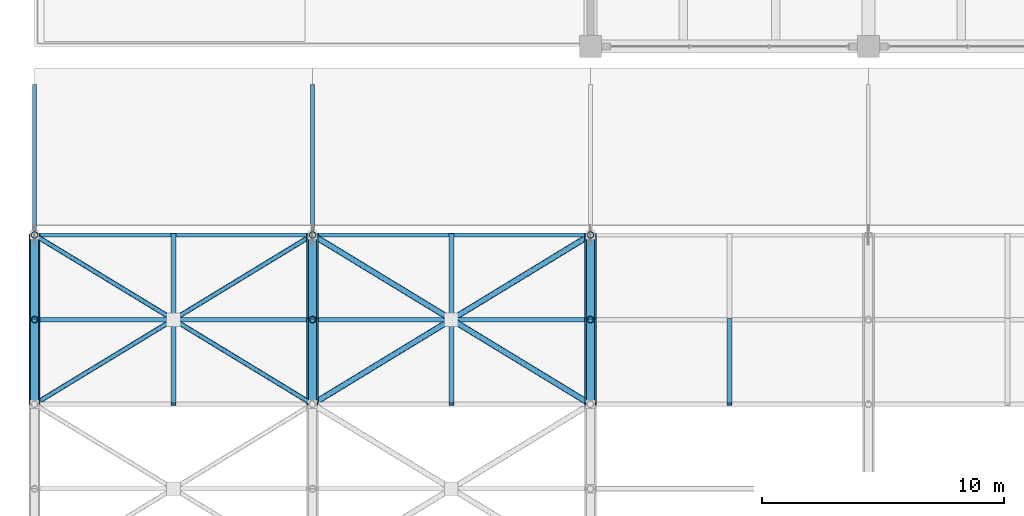
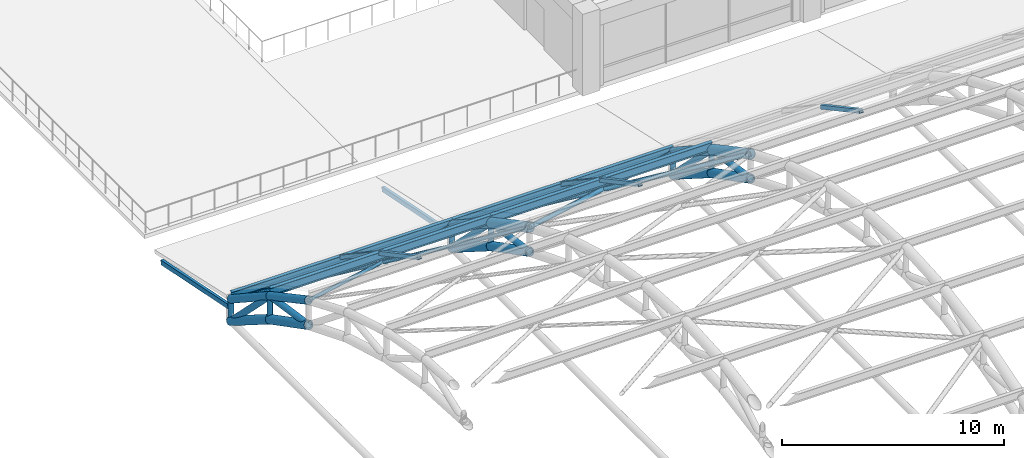
# One storey, part 65 of 154: 41 members.
"""IFC4 building model written with IfcOpenShell, lengths in metres."""

import ifcopenshell
import ifcopenshell.guid

model = None  # the IFC model being written
_history = None  # IfcOwnerHistory: only IFC2X3 demands one
_inside = {}  # id of a spatial element -> (the spatial element, [elements in it])
_under = {}  # id of a project, library or spatial element -> (it, [spatial elements below it])
_declared = {}  # id of a project -> (the project, [libraries it declares])
_typed = {}  # id of a type object -> (the type object, [elements of that type])
_made_of = {}  # id of a material, layer set ... -> (it, [elements and type objects made of it])


def new_model(schema):
    """Start an empty IFC model of exactly this schema.

    Asked for "IFC4X3", IfcOpenShell would pick the latest addendum, in which some entities
    have other attributes; the version numbers below select the first issue.
    IFC2X3 requires an IfcOwnerHistory on every rooted entity: one is made here for all.
    """
    global model, _history
    if schema == "IFC4X3":
        model = ifcopenshell.file(schema_version=(4, 3, 0, 0))
    else:
        model = ifcopenshell.file(schema=schema)
    _inside.clear()
    _under.clear()
    _declared.clear()
    _typed.clear()
    _made_of.clear()
    _history = None
    if model.schema == "IFC2X3":
        org = make("IfcOrganization", Name="unknown")
        user = make(
            "IfcPersonAndOrganization",
            ThePerson=make("IfcPerson", FamilyName="unknown"),
            TheOrganization=org,
        )
        app = make(
            "IfcApplication",
            ApplicationDeveloper=org,
            Version="unknown",
            ApplicationFullName="unknown",
            ApplicationIdentifier="unknown",
        )
        _history = make(
            "IfcOwnerHistory",
            OwningUser=user,
            OwningApplication=app,
            ChangeAction="ADDED",
            CreationDate=0,
        )
    return model


def make(cls, **values):
    """One entity of the class cls with the attributes given. An attribute that is None is left unset."""
    return model.create_entity(
        cls, **{name: value for name, value in values.items() if value is not None}
    )


def rooted(cls, **values):
    """An entity with a GlobalId (a new one), such as an element, a storey or a relation."""
    return make(cls, GlobalId=ifcopenshell.guid.new(), OwnerHistory=_history, **values)


def si_unit(unit_type, name, prefix=None):
    """IfcSIUnit, for example si_unit("LENGTHUNIT", "METRE", prefix="MILLI")."""
    return make("IfcSIUnit", UnitType=unit_type, Prefix=prefix, Name=name)


def assignment(units):
    """IfcUnitAssignment: the units of a project."""
    return None if units is None else make("IfcUnitAssignment", Units=units)


def point(xyz):
    """IfcCartesianPoint."""
    return None if xyz is None else make("IfcCartesianPoint", Coordinates=xyz)


def direction(xyz):
    """IfcDirection."""
    return None if xyz is None else make("IfcDirection", DirectionRatios=xyz)


def frame(location, z_axis=None, x_axis=None):
    """IfcAxis2Placement3D, a coordinate frame: its origin and axes. An axis left out is left unset."""
    return make(
        "IfcAxis2Placement3D",
        Location=point(location),
        Axis=direction(z_axis),
        RefDirection=direction(x_axis),
    )


def frame_2d(location, x_axis=None):
    """IfcAxis2Placement2D, a coordinate frame in the plane: its origin and x axis."""
    return make(
        "IfcAxis2Placement2D", Location=point(location), RefDirection=direction(x_axis)
    )


def origin():
    """The frame at (0, 0, 0) with its axes left unset."""
    return frame((0.0, 0.0, 0.0))


def origin_2d():
    """The frame at (0, 0) in the plane with its x axis left unset."""
    return frame_2d((0.0, 0.0))


def place(relative_to, where):
    """IfcLocalPlacement: puts the frame where relative to a parent placement (None: the world)."""
    return make(
        "IfcLocalPlacement", PlacementRelTo=relative_to, RelativePlacement=where
    )


def context(
    kind, dimensions, precision=None, world=None, true_north=None, identifier=None
):
    """IfcGeometricRepresentationContext, for example the 3D "Model" context."""
    return make(
        "IfcGeometricRepresentationContext",
        ContextIdentifier=identifier,
        ContextType=kind,
        CoordinateSpaceDimension=dimensions,
        Precision=precision,
        WorldCoordinateSystem=world,
        TrueNorth=true_north,
    )


def subcontext(parent, identifier, kind, view, scale=None):
    """IfcGeometricRepresentationSubContext, for example "Body" below "Model"."""
    return make(
        "IfcGeometricRepresentationSubContext",
        ContextIdentifier=identifier,
        ContextType=kind,
        ParentContext=parent,
        TargetScale=scale,
        TargetView=view,
    )


def project(units=None, contexts=None):
    """IfcProject with its units and contexts."""
    return rooted(
        "IfcProject",
        Name="project",
        RepresentationContexts=contexts,
        UnitsInContext=assignment(units),
    )


def spatial(cls, under=None, at=None, **own):
    """A site, building, storey or space (cls), placed at a placement, below another one or the project."""
    s = rooted(cls, ObjectPlacement=at, **own)
    if under is not None:
        _under.setdefault(under.id(), (under, []))[1].append(s)
    return s


def profile(cls, at=None, kind="AREA", **sizes):
    """A parametric profile (cls). Its sizes go by their IFC names, for example OverallWidth=200.0."""
    return make(cls, ProfileType=kind, Position=at, **sizes)


def hollow_rectangle(**sizes):
    """IfcRectangleHollowProfileDef."""
    return profile("IfcRectangleHollowProfileDef", **sizes)


def hollow_circle(**sizes):
    """IfcCircleHollowProfileDef."""
    return profile("IfcCircleHollowProfileDef", **sizes)


def i_section(**sizes):
    """IfcIShapeProfileDef."""
    return profile("IfcIShapeProfileDef", **sizes)


def extrude(swept, where, along, depth):
    """IfcExtrudedAreaSolid: the profile swept, set in the frame where, extruded along a direction by depth."""
    return make(
        "IfcExtrudedAreaSolid",
        SweptArea=swept,
        Position=where,
        ExtrudedDirection=direction(along),
        Depth=depth,
    )


def shape(context_of_items, identifier, shape_type, items):
    """IfcShapeRepresentation: the items that make up one representation, for example the "Body"."""
    return make(
        "IfcShapeRepresentation",
        ContextOfItems=context_of_items,
        RepresentationIdentifier=identifier,
        RepresentationType=shape_type,
        Items=items,
    )


def material(Name=None, Category=None):
    """IfcMaterial."""
    return make("IfcMaterial", Name=Name, Category=Category)


def material_profile(
    of_material, cross_section, Name=None, Category=None, Priority=None
):
    """IfcMaterialProfile: a cross section and its material."""
    return make(
        "IfcMaterialProfile",
        Name=Name,
        Material=of_material,
        Profile=cross_section,
        Priority=Priority,
        Category=Category,
    )


def profile_set(profiles, Name=None, composite=None):
    """IfcMaterialProfileSet."""
    return make(
        "IfcMaterialProfileSet",
        Name=Name,
        MaterialProfiles=profiles,
        CompositeProfile=composite,
    )


def made_of(thing, what):
    """Note that an element or type object is made of a material, layer set ...; save() writes the relation."""
    if what is not None:
        _made_of.setdefault(what.id(), (what, []))[1].append(thing)
    return thing


def type_object(cls, material=None, **own):
    """A type object (cls), such as IfcWallType, which elements share."""
    return made_of(rooted(cls, **own), material)


def element(
    cls,
    number,
    at=None,
    inside=None,
    cuts=None,
    type_object=None,
    material=None,
    context=None,
    identifier="Body",
    shape_type=None,
    held_by="IfcProductDefinitionShape",
    body=None,
    shapes=None,
    **own,
):
    """One element of the class cls, such as IfcWall. Its Tag is "e" and its number.

    at: its placement. inside: the storey or other place that contains it. cuts: it is an
    opening in that element (IfcRelVoidsElement). A single representation is given by context,
    identifier, shape_type and body (its items); several are given by shapes. held_by: the class
    of the entity that holds the representations. save() writes the other relations.
    """
    e = rooted(cls, Tag="e%d" % number, ObjectPlacement=at, **own)
    if body is not None:
        shapes = [shape(context, identifier, shape_type, body)]
    if shapes is not None:
        e.Representation = make(held_by, Representations=shapes)
    if inside is not None:
        _inside.setdefault(inside.id(), (inside, []))[1].append(e)
    if cuts is not None:
        rooted(
            "IfcRelVoidsElement", RelatingBuildingElement=cuts, RelatedOpeningElement=e
        )
    if type_object is not None:
        _typed.setdefault(type_object.id(), (type_object, []))[1].append(e)
    return made_of(e, material)


def aggregate(whole, parts):
    """IfcRelAggregates: a whole, such as a stair, and the parts it consists of."""
    return rooted("IfcRelAggregates", RelatingObject=whole, RelatedObjects=parts)


def save(model, path):
    """Write the relations noted so far, then the file.

    IfcRelAggregates (storeys below a building ...), IfcRelContainedInSpatialStructure (elements
    in a storey), IfcRelDefinesByType, IfcRelAssociatesMaterial and IfcRelDeclares: one each for
    every whole, place, type object, material and project.
    """
    for whole, parts in _under.values():
        aggregate(whole, parts)
    for where, things in _inside.values():
        rooted(
            "IfcRelContainedInSpatialStructure",
            RelatedElements=things,
            RelatingStructure=where,
        )
    for kind, things in _typed.values():
        rooted("IfcRelDefinesByType", RelatedObjects=things, RelatingType=kind)
    for what, things in _made_of.values():
        rooted("IfcRelAssociatesMaterial", RelatedObjects=things, RelatingMaterial=what)
    for by, libraries in _declared.values():
        rooted("IfcRelDeclares", RelatingContext=by, RelatedDefinitions=libraries)
    model.write(path)


model = new_model("IFC4")

# Units and contexts
model_context = context("Model", 3, precision=1e-05, world=origin(), true_north=direction((0.0, 1.0)))
body_context = subcontext(model_context, "Body", "Model", "MODEL_VIEW")
ifc_project = project(units=[si_unit("LENGTHUNIT", "METRE"), si_unit("AREAUNIT", "SQUARE_METRE"), si_unit("VOLUMEUNIT", "CUBIC_METRE"), si_unit("PLANEANGLEUNIT", "RADIAN"), si_unit("MASSUNIT", "GRAM", prefix="KILO")], contexts=[model_context])

# Site, building, storey
site_placement = place(None, origin())
site = spatial("IfcSite", under=ifc_project, at=site_placement, CompositionType="ELEMENT")
building_placement = place(site_placement, origin())
building = spatial("IfcBuilding", under=site, at=building_placement, Name="Ologun Quay Terminus", CompositionType="ELEMENT")
storey_placement = place(building_placement, frame((0.0, 0.0, 13.800048828125)))
storey = spatial("IfcBuildingStorey", under=building, at=storey_placement, Name="L03", CompositionType="ELEMENT", Elevation=13.800048828125)

# Members
ifc_material_1 = material(Name="Steel S355", Category="steel")
ifc_material_profile_1 = material_profile(ifc_material_1, hollow_circle(Radius=0.136474609375, WallThickness=0.010009765625, at=origin_2d()), Name="CHS 273x10")
ifc_profile_set_1 = profile_set([ifc_material_profile_1], Name="Steel S355")
member_type_1 = type_object("IfcMemberType", Name="Arch Truss Vertical Post CHS273", PredefinedType="STRUT", material=ifc_profile_set_1)
member_1_placement = place(storey_placement, frame((0.0, 74.5, 2.212158203125), z_axis=(0.0, 0.0, 1.0), x_axis=(1.0, 0.0, 0.0)))
element("IfcMember", 1, at=member_1_placement, inside=storey, type_object=member_type_1, Name="AW2 Arch Web Post 1-N11", PredefinedType="STRUT", context=body_context, shape_type="SweptSolid", body=[
    extrude(hollow_circle(Radius=0.136474609375, WallThickness=0.010009765625, at=origin_2d()), origin(), (0.0, 0.0, 1.0), 1.28564453125),
])
member_2_placement = place(storey_placement, frame((0.0, 78.0, 0.0), z_axis=(0.0, 0.0, 1.0), x_axis=(1.0, 0.0, 0.0)))
element("IfcMember", 2, at=member_2_placement, inside=storey, type_object=member_type_1, Name="AW2 Arch Web Post 1-N12", PredefinedType="STRUT", context=body_context, shape_type="SweptSolid", body=[
    extrude(hollow_circle(Radius=0.136474609375, WallThickness=0.010009765625, at=origin_2d()), origin(), (0.0, 0.0, 1.0), 1.199951171875),
])
member_3_placement = place(storey_placement, frame((11.5, 74.5, 2.212158203125), z_axis=(0.0, 0.0, 1.0), x_axis=(1.0, 0.0, 0.0)))
element("IfcMember", 3, at=member_3_placement, inside=storey, type_object=member_type_1, Name="AW2 Arch Web Post 2-N11", PredefinedType="STRUT", context=body_context, shape_type="SweptSolid", body=[
    extrude(hollow_circle(Radius=0.136474609375, WallThickness=0.010009765625, at=origin_2d()), origin(), (0.0, 0.0, 1.0), 1.28564453125),
])
member_4_placement = place(storey_placement, frame((11.5, 78.0, 0.0), z_axis=(0.0, 0.0, 1.0), x_axis=(1.0, 0.0, 0.0)))
element("IfcMember", 4, at=member_4_placement, inside=storey, type_object=member_type_1, Name="AW2 Arch Web Post 2-N12", PredefinedType="STRUT", context=body_context, shape_type="SweptSolid", body=[
    extrude(hollow_circle(Radius=0.136474609375, WallThickness=0.010009765625, at=origin_2d()), origin(), (0.0, 0.0, 1.0), 1.199951171875),
])
member_5_placement = place(storey_placement, frame((23.0, 74.5, 2.212158203125), z_axis=(0.0, 0.0, 1.0), x_axis=(1.0, 0.0, 0.0)))
element("IfcMember", 5, at=member_5_placement, inside=storey, type_object=member_type_1, Name="AW2 Arch Web Post 3-N11", PredefinedType="STRUT", context=body_context, shape_type="SweptSolid", body=[
    extrude(hollow_circle(Radius=0.136474609375, WallThickness=0.010009765625, at=origin_2d()), origin(), (0.0, 0.0, 1.0), 1.28564453125),
])
member_6_placement = place(storey_placement, frame((23.0, 78.0, 0.0), z_axis=(0.0, 0.0, 1.0), x_axis=(1.0, 0.0, 0.0)))
element("IfcMember", 6, at=member_6_placement, inside=storey, type_object=member_type_1, Name="AW2 Arch Web Post 3-N12", PredefinedType="STRUT", context=body_context, shape_type="SweptSolid", body=[
    extrude(hollow_circle(Radius=0.136474609375, WallThickness=0.010009765625, at=origin_2d()), origin(), (0.0, 0.0, 1.0), 1.199951171875),
])
ifc_material_2 = material(Name="Steel S355", Category="steel")
ifc_material_profile_2 = material_profile(ifc_material_2, hollow_circle(Radius=0.161865234375, WallThickness=0.010009765625, at=origin_2d()), Name="CHS 323.9x10")
ifc_profile_set_2 = profile_set([ifc_material_profile_2], Name="Steel S355")
member_type_2 = type_object("IfcMemberType", Name="Arch Truss Web Diagonal CHS323", PredefinedType="BRACE", material=ifc_profile_set_2)
member_7_placement = place(storey_placement, frame((0.0, 71.0, 4.022216796875), z_axis=(0.0, 0.988960627525, -0.148178531524), x_axis=(-1.0, 0.0, 0.0)))
element("IfcMember", 7, at=member_7_placement, inside=storey, type_object=member_type_2, Name="AW1 Arch Web Diagonal 1-P11", PredefinedType="BRACE", context=body_context, shape_type="SweptSolid", body=[
    extrude(hollow_circle(Radius=0.161865234375, WallThickness=0.010009765625, at=origin_2d()), origin(), (0.0, 0.0, 1.0), 3.5390625),
])
member_8_placement = place(storey_placement, frame((0.0, 74.5, 3.497802734375), z_axis=(0.0, 0.707328773357, -0.706884719301), x_axis=(-1.0, 0.0, 0.0)))
element("IfcMember", 8, at=member_8_placement, inside=storey, type_object=member_type_2, Name="AW1 Arch Web Diagonal 1-P12", PredefinedType="BRACE", context=body_context, shape_type="SweptSolid", body=[
    extrude(hollow_circle(Radius=0.161865234375, WallThickness=0.010009765625, at=origin_2d()), origin(), (0.0, 0.0, 1.0), 4.9482421875),
])
member_9_placement = place(storey_placement, frame((11.5, 71.0, 4.022216796875), z_axis=(0.0, 0.988960627525, -0.148178531524), x_axis=(-1.0, 0.0, 0.0)))
element("IfcMember", 9, at=member_9_placement, inside=storey, type_object=member_type_2, Name="AW1 Arch Web Diagonal 2-P11", PredefinedType="BRACE", context=body_context, shape_type="SweptSolid", body=[
    extrude(hollow_circle(Radius=0.161865234375, WallThickness=0.010009765625, at=origin_2d()), origin(), (0.0, 0.0, 1.0), 3.5390625),
])
member_10_placement = place(storey_placement, frame((11.5, 74.5, 3.497802734375), z_axis=(0.0, 0.707328773357, -0.706884719301), x_axis=(-1.0, 0.0, 0.0)))
element("IfcMember", 10, at=member_10_placement, inside=storey, type_object=member_type_2, Name="AW1 Arch Web Diagonal 2-P12", PredefinedType="BRACE", context=body_context, shape_type="SweptSolid", body=[
    extrude(hollow_circle(Radius=0.161865234375, WallThickness=0.010009765625, at=origin_2d()), origin(), (0.0, 0.0, 1.0), 4.9482421875),
])
member_11_placement = place(storey_placement, frame((23.0, 71.0, 4.022216796875), z_axis=(0.0, 0.988960627525, -0.148178531524), x_axis=(-1.0, 0.0, 0.0)))
element("IfcMember", 11, at=member_11_placement, inside=storey, type_object=member_type_2, Name="AW1 Arch Web Diagonal 3-P11", PredefinedType="BRACE", context=body_context, shape_type="SweptSolid", body=[
    extrude(hollow_circle(Radius=0.161865234375, WallThickness=0.010009765625, at=origin_2d()), origin(), (0.0, 0.0, 1.0), 3.5390625),
])
member_12_placement = place(storey_placement, frame((23.0, 74.5, 3.497802734375), z_axis=(0.0, 0.707328773357, -0.706884719301), x_axis=(-1.0, 0.0, 0.0)))
element("IfcMember", 12, at=member_12_placement, inside=storey, type_object=member_type_2, Name="AW1 Arch Web Diagonal 3-P12", PredefinedType="BRACE", context=body_context, shape_type="SweptSolid", body=[
    extrude(hollow_circle(Radius=0.161865234375, WallThickness=0.010009765625, at=origin_2d()), origin(), (0.0, 0.0, 1.0), 4.9482421875),
])
ifc_material_3 = material(Name="Steel S355", Category="steel")
ifc_material_profile_3 = material_profile(ifc_material_3, hollow_circle(Radius=0.203125, WallThickness=0.012451171875, at=origin_2d()), Name="CHS 406.4x12.5")
ifc_profile_set_3 = profile_set([ifc_material_profile_3], Name="Steel S355")
member_type_3 = type_object("IfcMemberType", Name="Gable End Arch Chord CHS406", PredefinedType="CHORD", material=ifc_profile_set_3)
member_13_placement = place(storey_placement, frame((0.0, 71.0, 5.377685546875), z_axis=(0.0, 0.880967864924, -0.473176099324), x_axis=(-1.0, 0.0, 0.0)))
element("IfcMember", 13, at=member_13_placement, inside=storey, type_object=member_type_3, Name="Arch Top Chord 1-P11", PredefinedType="CHORD", context=body_context, shape_type="SweptSolid", body=[
    extrude(hollow_circle(Radius=0.203125, WallThickness=0.012451171875, at=origin_2d()), origin(), (0.0, 0.0, 1.0), 3.972900390625),
])
member_14_placement = place(storey_placement, frame((0.0, 74.5, 3.497802734375), z_axis=(0.0, 0.835940905918, -0.548819461949), x_axis=(-1.0, 0.0, 0.0)))
element("IfcMember", 14, at=member_14_placement, inside=storey, type_object=member_type_3, Name="Arch Top Chord 1-P12", PredefinedType="CHORD", context=body_context, shape_type="SweptSolid", body=[
    extrude(hollow_circle(Radius=0.203125, WallThickness=0.012451171875, at=origin_2d()), origin(), (0.0, 0.0, 1.0), 4.18701171875),
])
ifc_material_4 = material(Name="Steel S355", Category="steel")
ifc_material_profile_4 = material_profile(ifc_material_4, hollow_circle(Radius=0.096923828125, WallThickness=0.00634765625, at=origin_2d()), Name="CHS 193.7x6.3")
ifc_profile_set_4 = profile_set([ifc_material_profile_4], Name="Steel S355")
member_type_4 = type_object("IfcMemberType", Name="Gable Portal Wind Brace CHS193", PredefinedType="BRACE", material=ifc_profile_set_4)
member_15_placement = place(storey_placement, frame((0.0, 71.0, 5.377685546875), z_axis=(0.815821451603, 0.496586970541, -0.296372636715), x_axis=(-0.519946946896, 0.854198555614, 0.0)))
element("IfcMember", 15, at=member_15_placement, inside=storey, type_object=member_type_4, Name="Roof Wind Brace A B1-K10", PredefinedType="BRACE", context=body_context, shape_type="SweptSolid", body=[
    extrude(hollow_circle(Radius=0.096923828125, WallThickness=0.00634765625, at=origin_2d()), origin(), (0.0, 0.0, 1.0), 14.09619140625),
])
for number, where, z_axis, x_axis, name in (
    (16, (0.0, 78.0, 1.199951171875), (0.815823185614, -0.496583416265, 0.29637381886), (0.51994342513, 0.854200699288, 0.0), "Roof Wind Brace B1 B1-K10"),
    (17, (5.8642578125, 74.430419921875, 3.330322265625), (0.815823185614, -0.496583416265, 0.29637381886), (0.51994342513, 0.854200699288, 0.0), "Roof Wind Brace B2 B1-K10"),
):
    element("IfcMember", number, at=place(storey_placement, frame(where, z_axis=z_axis, x_axis=x_axis)), inside=storey, type_object=member_type_4, Name=name, PredefinedType="BRACE", context=body_context, shape_type="SweptSolid", body=[
        extrude(hollow_circle(Radius=0.096923828125, WallThickness=0.00634765625, at=origin_2d()), origin(), (0.0, 0.0, 1.0), 6.907958984375),
    ])
ifc_material_5 = material(Name="Steel S355", Category="steel")
ifc_material_profile_5 = material_profile(ifc_material_5, hollow_circle(Radius=0.228515625, WallThickness=0.01611328125, at=origin_2d()), Name="CHS 457x16")
ifc_profile_set_5 = profile_set([ifc_material_profile_5], Name="Steel S355")
member_type_5 = type_object("IfcMemberType", Name="Parabolic Arch Bottom Chord CHS457", PredefinedType="CHORD", material=ifc_profile_set_5)
member_16_placement = place(storey_placement, frame((0.0, 71.0, 4.022216796875), z_axis=(0.0, 0.888247284083, -0.459365608551), x_axis=(-1.0, 0.0, 0.0)))
element("IfcMember", 18, at=member_16_placement, inside=storey, type_object=member_type_5, Name="AC2 Arch Bottom Chord 1-P11", PredefinedType="CHORD", context=body_context, shape_type="SweptSolid", body=[
    extrude(hollow_circle(Radius=0.228515625, WallThickness=0.01611328125, at=origin_2d()), origin(), (0.0, 0.0, 1.0), 3.9404296875),
])
member_17_placement = place(storey_placement, frame((0.0, 74.5, 2.212158203125), z_axis=(0.0, 0.845310912611, -0.534274705578), x_axis=(-1.0, 0.0, 0.0)))
element("IfcMember", 19, at=member_17_placement, inside=storey, type_object=member_type_5, Name="AC2 Arch Bottom Chord 1-P12", PredefinedType="CHORD", context=body_context, shape_type="SweptSolid", body=[
    extrude(hollow_circle(Radius=0.228515625, WallThickness=0.01611328125, at=origin_2d()), origin(), (0.0, 0.0, 1.0), 4.140380859375),
])
member_18_placement = place(storey_placement, frame((11.5, 71.0, 4.022216796875), z_axis=(0.0, 0.888247284083, -0.459365608551), x_axis=(-1.0, 0.0, 0.0)))
element("IfcMember", 20, at=member_18_placement, inside=storey, type_object=member_type_5, Name="AC2 Arch Bottom Chord 2-P11", PredefinedType="CHORD", context=body_context, shape_type="SweptSolid", body=[
    extrude(hollow_circle(Radius=0.228515625, WallThickness=0.01611328125, at=origin_2d()), origin(), (0.0, 0.0, 1.0), 3.9404296875),
])
member_19_placement = place(storey_placement, frame((11.5, 74.5, 2.212158203125), z_axis=(0.0, 0.845310912611, -0.534274705578), x_axis=(-1.0, 0.0, 0.0)))
element("IfcMember", 21, at=member_19_placement, inside=storey, type_object=member_type_5, Name="AC2 Arch Bottom Chord 2-P12", PredefinedType="CHORD", context=body_context, shape_type="SweptSolid", body=[
    extrude(hollow_circle(Radius=0.228515625, WallThickness=0.01611328125, at=origin_2d()), origin(), (0.0, 0.0, 1.0), 4.140380859375),
])
member_20_placement = place(storey_placement, frame((23.0, 71.0, 4.022216796875), z_axis=(0.0, 0.888247284083, -0.459365608551), x_axis=(-1.0, 0.0, 0.0)))
element("IfcMember", 22, at=member_20_placement, inside=storey, type_object=member_type_5, Name="AC2 Arch Bottom Chord 3-P11", PredefinedType="CHORD", context=body_context, shape_type="SweptSolid", body=[
    extrude(hollow_circle(Radius=0.228515625, WallThickness=0.01611328125, at=origin_2d()), origin(), (0.0, 0.0, 1.0), 3.9404296875),
])
member_21_placement = place(storey_placement, frame((23.0, 74.5, 2.212158203125), z_axis=(0.0, 0.845310912611, -0.534274705578), x_axis=(-1.0, 0.0, 0.0)))
element("IfcMember", 23, at=member_21_placement, inside=storey, type_object=member_type_5, Name="AC2 Arch Bottom Chord 3-P12", PredefinedType="CHORD", context=body_context, shape_type="SweptSolid", body=[
    extrude(hollow_circle(Radius=0.228515625, WallThickness=0.01611328125, at=origin_2d()), origin(), (0.0, 0.0, 1.0), 4.140380859375),
])
ifc_material_6 = material(Name="Steel S355", Category="steel")
ifc_material_profile_6 = material_profile(ifc_material_6, hollow_circle(Radius=0.25390625, WallThickness=0.01611328125, at=origin_2d()), Name="CHS 508x16")
ifc_profile_set_6 = profile_set([ifc_material_profile_6], Name="Steel S355")
member_type_6 = type_object("IfcMemberType", Name="Parabolic Arch Top Chord CHS508", PredefinedType="CHORD", material=ifc_profile_set_6)
member_22_placement = place(storey_placement, frame((11.5, 71.0, 5.377685546875), z_axis=(0.0, 0.880967864924, -0.473176099324), x_axis=(-1.0, 0.0, 0.0)))
element("IfcMember", 24, at=member_22_placement, inside=storey, type_object=member_type_6, Name="Arch Top Chord 2-P11", PredefinedType="CHORD", context=body_context, shape_type="SweptSolid", body=[
    extrude(hollow_circle(Radius=0.25390625, WallThickness=0.01611328125, at=origin_2d()), origin(), (0.0, 0.0, 1.0), 3.972900390625),
])
member_23_placement = place(storey_placement, frame((11.5, 74.5, 3.497802734375), z_axis=(0.0, 0.835940905918, -0.548819461949), x_axis=(-1.0, 0.0, 0.0)))
element("IfcMember", 25, at=member_23_placement, inside=storey, type_object=member_type_6, Name="Arch Top Chord 2-P12", PredefinedType="CHORD", context=body_context, shape_type="SweptSolid", body=[
    extrude(hollow_circle(Radius=0.25390625, WallThickness=0.01611328125, at=origin_2d()), origin(), (0.0, 0.0, 1.0), 4.18701171875),
])
member_24_placement = place(storey_placement, frame((23.0, 71.0, 5.377685546875), z_axis=(0.0, 0.880967864924, -0.473176099324), x_axis=(-1.0, 0.0, 0.0)))
element("IfcMember", 26, at=member_24_placement, inside=storey, type_object=member_type_6, Name="Arch Top Chord 3-P11", PredefinedType="CHORD", context=body_context, shape_type="SweptSolid", body=[
    extrude(hollow_circle(Radius=0.25390625, WallThickness=0.01611328125, at=origin_2d()), origin(), (0.0, 0.0, 1.0), 3.972900390625),
])
member_25_placement = place(storey_placement, frame((23.0, 74.5, 3.497802734375), z_axis=(0.0, 0.835940905918, -0.548819461949), x_axis=(-1.0, 0.0, 0.0)))
element("IfcMember", 27, at=member_25_placement, inside=storey, type_object=member_type_6, Name="Arch Top Chord 3-P12", PredefinedType="CHORD", context=body_context, shape_type="SweptSolid", body=[
    extrude(hollow_circle(Radius=0.25390625, WallThickness=0.01611328125, at=origin_2d()), origin(), (0.0, 0.0, 1.0), 4.18701171875),
])
ifc_material_7 = material(Name="Steel S355", Category="steel")
ifc_material_profile_7 = material_profile(ifc_material_7, hollow_circle(Radius=0.122314453125, WallThickness=0.008056640625, at=origin_2d()), Name="CHS 244.5x8")
ifc_profile_set_7 = profile_set([ifc_material_profile_7], Name="Steel S355")
member_type_7 = type_object("IfcMemberType", Name="Roof Plan Wind Brace Primary CHS244", PredefinedType="BRACE", material=ifc_profile_set_7)
member_26_placement = place(storey_placement, frame((11.5, 71.0, 5.377685546875), z_axis=(0.815821451603, 0.496586970541, -0.296372636715), x_axis=(-0.519946946896, 0.854198555614, 0.0)))
element("IfcMember", 28, at=member_26_placement, inside=storey, type_object=member_type_7, Name="Roof Wind Brace A B2-K10", PredefinedType="BRACE", context=body_context, shape_type="SweptSolid", body=[
    extrude(hollow_circle(Radius=0.122314453125, WallThickness=0.008056640625, at=origin_2d()), origin(), (0.0, 0.0, 1.0), 14.09619140625),
])
for number, where, z_axis, x_axis, name in (
    (29, (11.5, 78.0, 1.199951171875), (0.815823185614, -0.496583416265, 0.29637381886), (0.51994342513, 0.854200699288, 0.0), "Roof Wind Brace B1 B2-K10"),
    (30, (17.3642578125, 74.430419921875, 3.330322265625), (0.815823185614, -0.496583416265, 0.29637381886), (0.51994342513, 0.854200699288, 0.0), "Roof Wind Brace B2 B2-K10"),
):
    element("IfcMember", number, at=place(storey_placement, frame(where, z_axis=z_axis, x_axis=x_axis)), inside=storey, type_object=member_type_7, Name=name, PredefinedType="BRACE", context=body_context, shape_type="SweptSolid", body=[
        extrude(hollow_circle(Radius=0.122314453125, WallThickness=0.008056640625, at=origin_2d()), origin(), (0.0, 0.0, 1.0), 6.907958984375),
    ])
ifc_material_8 = material(Name="Steel S355", Category="steel")
ifc_material_profile_8 = material_profile(ifc_material_8, hollow_rectangle(XDim=0.199951171875, YDim=0.199951171875, WallThickness=0.008056640625, at=origin_2d()), Name="SHS 200x200x8")
ifc_profile_set_8 = profile_set([ifc_material_profile_8], Name="Steel S355")
member_type_8 = type_object("IfcMemberType", Name="Skylight Cross Transom Bar RHS150", PredefinedType="STRUT", material=ifc_profile_set_8)
member_27_placement = place(storey_placement, frame((5.75, 71.0, 5.731689453125), z_axis=(0.0, 0.880967864924, -0.473176099324), x_axis=(-1.0, 0.0, 0.0)))
element("IfcMember", 31, at=member_27_placement, inside=storey, type_object=member_type_8, Name="SK2 Eave Secondary Rafter B1-P11", PredefinedType="STRUT", context=body_context, shape_type="SweptSolid", body=[
    extrude(hollow_rectangle(XDim=0.199951171875, YDim=0.199951171875, WallThickness=0.008056640625, at=origin_2d()), origin(), (0.0, 0.0, 1.0), 3.972900390625),
])
member_28_placement = place(storey_placement, frame((5.75, 74.5, 3.851806640625), z_axis=(0.0, 0.830398014247, -0.55717065423), x_axis=(-1.0, 0.0, 0.0)))
element("IfcMember", 32, at=member_28_placement, inside=storey, type_object=member_type_8, Name="SK2 Eave Secondary Rafter B1-P12", PredefinedType="STRUT", context=body_context, shape_type="SweptSolid", body=[
    extrude(hollow_rectangle(XDim=0.199951171875, YDim=0.199951171875, WallThickness=0.008056640625, at=origin_2d()), origin(), (0.0, 0.0, 1.0), 4.21484375),
])
member_29_placement = place(storey_placement, frame((17.25, 71.0, 5.731689453125), z_axis=(0.0, 0.880967864924, -0.473176099324), x_axis=(-1.0, 0.0, 0.0)))
element("IfcMember", 33, at=member_29_placement, inside=storey, type_object=member_type_8, Name="SK2 Eave Secondary Rafter B2-P11", PredefinedType="STRUT", context=body_context, shape_type="SweptSolid", body=[
    extrude(hollow_rectangle(XDim=0.199951171875, YDim=0.199951171875, WallThickness=0.008056640625, at=origin_2d()), origin(), (0.0, 0.0, 1.0), 3.972900390625),
])
member_30_placement = place(storey_placement, frame((17.25, 74.5, 3.851806640625), z_axis=(0.0, 0.830398014247, -0.55717065423), x_axis=(-1.0, 0.0, 0.0)))
element("IfcMember", 34, at=member_30_placement, inside=storey, type_object=member_type_8, Name="SK2 Eave Secondary Rafter B2-P12", PredefinedType="STRUT", context=body_context, shape_type="SweptSolid", body=[
    extrude(hollow_rectangle(XDim=0.199951171875, YDim=0.199951171875, WallThickness=0.008056640625, at=origin_2d()), origin(), (0.0, 0.0, 1.0), 4.21484375),
])
member_31_placement = place(storey_placement, frame((28.75, 71.0, 5.731689453125), z_axis=(0.0, 0.880967864924, -0.473176099324), x_axis=(-1.0, 0.0, 0.0)))
element("IfcMember", 35, at=member_31_placement, inside=storey, type_object=member_type_8, Name="SK2 Eave Secondary Rafter B3-P11", PredefinedType="STRUT", context=body_context, shape_type="SweptSolid", body=[
    extrude(hollow_rectangle(XDim=0.199951171875, YDim=0.199951171875, WallThickness=0.008056640625, at=origin_2d()), origin(), (0.0, 0.0, 1.0), 3.972900390625),
])
ifc_material_9 = material(Name="Steel S355", Category="steel")
ifc_material_profile_9 = material_profile(ifc_material_9, hollow_rectangle(XDim=0.14990234375, YDim=0.25, WallThickness=0.008056640625, at=origin_2d()), Name="RHS 250x150x8")
ifc_profile_set_9 = profile_set([ifc_material_profile_9], Name="Steel S355")
member_type_9 = type_object("IfcMemberType", Name="Skylight Longitudinal Glazing Bar RHS200", PredefinedType="PURLIN", material=ifc_profile_set_9)
for number, where, z_axis, x_axis, name in (
    (36, (0.0, 84.199951171875, -0.520263671875), (0.0, -0.98005285553, 0.19873701308), (1.0, 0.0, 0.0), "SK1 Inclined Roof Rafter L03-NGAL-1"),
    (37, (11.5, 84.199951171875, -0.520263671875), (0.0, -0.98005285553, 0.19873701308), (1.0, 0.0, 0.0), "SK1 Inclined Roof Rafter L03-NGAL-2"),
):
    element("IfcMember", number, at=place(storey_placement, frame(where, z_axis=z_axis, x_axis=x_axis)), inside=storey, type_object=member_type_9, Name=name, PredefinedType="PURLIN", context=body_context, shape_type="SweptSolid", body=[
        extrude(hollow_rectangle(XDim=0.14990234375, YDim=0.25, WallThickness=0.008056640625, at=origin_2d()), origin(), (0.0, 0.0, 1.0), 6.16064453125),
    ])
ifc_material_10 = material(Name="Steel S355", Category="steel")
ifc_material_profile_10 = material_profile(ifc_material_10, i_section(OverallWidth=0.177978515625, OverallDepth=0.406494140625, WebThickness=0.0078125, FlangeThickness=0.0126953125, at=origin_2d()), Name="UKB 406x178x60")
ifc_profile_set_10 = profile_set([ifc_material_profile_10], Name="Steel S355")
member_type_10 = type_object("IfcMemberType", Name="Train Shed Eave & Ridge Purlin UKB406", PredefinedType="PURLIN", material=ifc_profile_set_10)
for number, where, z_axis, x_axis, name in (
    (38, (0.0, 78.0, 1.403076171875), (1.0, 0.0, 0.0), (0.0, 1.0, 0.0), "PR2 Roof Purlin B1-N12"),
    (39, (11.5, 78.0, 1.403076171875), (1.0, 0.0, 0.0), (0.0, 1.0, 0.0), "PR2 Roof Purlin B2-N12"),
):
    element("IfcMember", number, at=place(storey_placement, frame(where, z_axis=z_axis, x_axis=x_axis)), inside=storey, type_object=member_type_10, Name=name, PredefinedType="PURLIN", context=body_context, shape_type="SweptSolid", body=[
        extrude(i_section(OverallWidth=0.177978515625, OverallDepth=0.406494140625, WebThickness=0.0078125, FlangeThickness=0.0126953125, at=origin_2d()), origin(), (0.0, 0.0, 1.0), 11.5),
    ])
ifc_material_11 = material(Name="Steel S355", Category="steel")
ifc_material_profile_11 = material_profile(ifc_material_11, i_section(OverallWidth=0.1904296875, OverallDepth=0.45703125, WebThickness=0.009033203125, FlangeThickness=0.014404296875, at=origin_2d()), Name="UKB 457x191x74")
ifc_profile_set_11 = profile_set([ifc_material_profile_11], Name="Steel S355")
member_type_11 = type_object("IfcMemberType", Name="Train Shed Primary Roof Purlin UKB457", PredefinedType="PURLIN", material=ifc_profile_set_11)
for number, where, z_axis, x_axis, name in (
    (40, (0.0, 74.5, 3.726318359375), (1.0, 0.0, 0.0), (0.0, 1.0, 0.0), "PR1 Roof Purlin B1-N11"),
    (41, (11.5, 74.5, 3.726318359375), (1.0, 0.0, 0.0), (0.0, 1.0, 0.0), "PR1 Roof Purlin B2-N11"),
):
    element("IfcMember", number, at=place(storey_placement, frame(where, z_axis=z_axis, x_axis=x_axis)), inside=storey, type_object=member_type_11, Name=name, PredefinedType="PURLIN", context=body_context, shape_type="SweptSolid", body=[
        extrude(i_section(OverallWidth=0.1904296875, OverallDepth=0.45703125, WebThickness=0.009033203125, FlangeThickness=0.014404296875, at=origin_2d()), origin(), (0.0, 0.0, 1.0), 11.5),
    ])

save(model, "model.ifc")
